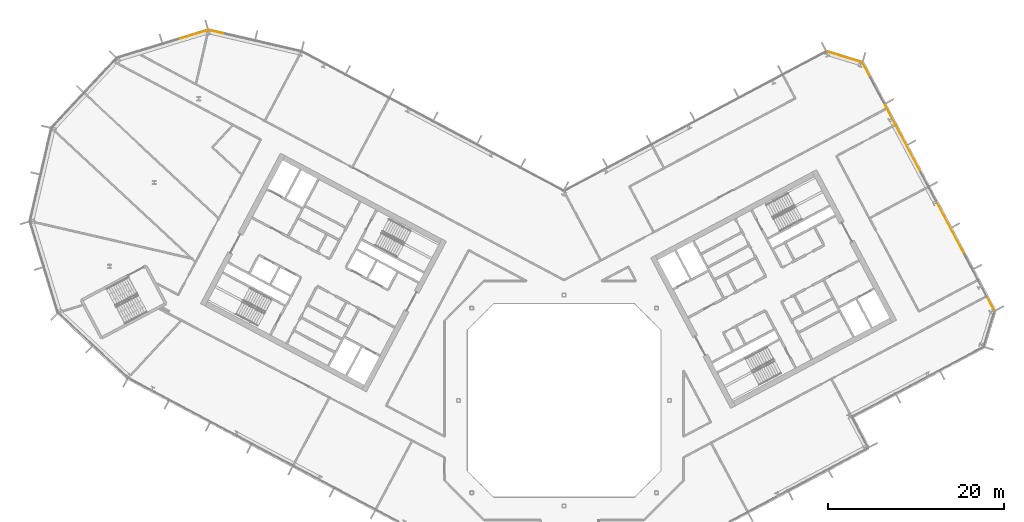
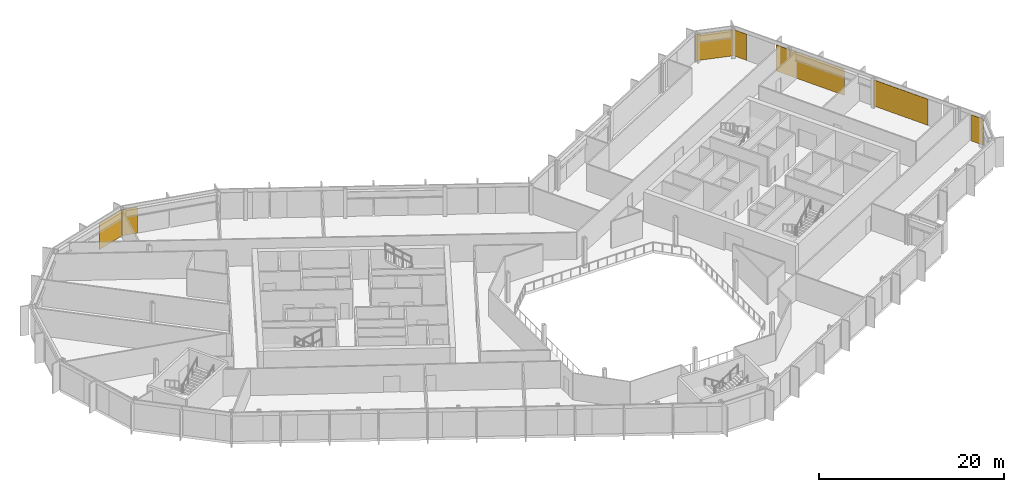
# One storey, part 27 of 27: 7 coverings, 4 elements without a shape of their own.
"""IFC4 building model written with IfcOpenShell, lengths in metres."""

from ifc_helpers import new_model, si_unit, direction, frame, origin, origin_2d, place, context, subcontext, project, spatial, rectangle, extrude, material, layer, layer_set, type_object, element, aggregate, save


model = new_model("IFC4")

# Units and contexts
model_context = context("Model", 3, precision=1e-05, world=origin(), true_north=direction((0.0, 1.0)))
body_context = subcontext(model_context, "Body", "Model", "MODEL_VIEW")
ifc_project = project(units=[si_unit("LENGTHUNIT", "METRE"), si_unit("AREAUNIT", "SQUARE_METRE"), si_unit("VOLUMEUNIT", "CUBIC_METRE"), si_unit("PLANEANGLEUNIT", "RADIAN"), si_unit("MASSUNIT", "GRAM", prefix="KILO")], contexts=[model_context])

# Site, building, storey
site_placement = place(None, origin())
site = spatial("IfcSite", under=ifc_project, at=site_placement, CompositionType="ELEMENT")
building_placement = place(site_placement, origin())
building = spatial("IfcBuilding", under=site, at=building_placement, Name="Cormorant Relay Tower", CompositionType="ELEMENT")
storey_placement = place(building_placement, frame((0.0, 0.0, 216.89990234375)))
storey = spatial("IfcBuildingStorey", under=building, at=storey_placement, Name="L47", CompositionType="ELEMENT", Elevation=216.89990234375)

# Curtain wall, coverings
ifc_material_1 = material(Name="Aluminium 6063-T6 anodised bronze", Category="aluminium")
ifc_layer_1 = layer(ifc_material_1, 0.199951171875)
ifc_layer_set_1 = layer_set([ifc_layer_1], Name="CW1 unitised bronze curtain wall with vertical fins")
curtain_wall_type = type_object("IfcCurtainWallType", Name="CW1 unitised bronze curtain wall with vertical fins", PredefinedType="NOTDEFINED", material=ifc_layer_set_1)
curtain_wall_1_placement = place(storey_placement, origin())
curtain_wall_1 = element("IfcCurtainWall", 1, at=curtain_wall_1_placement, inside=storey, type_object=curtain_wall_type, Name="CW1 curtain wall 6", PredefinedType="NOTDEFINED")
ifc_material_2 = material(Name="Pale bronze anodised aluminium insulated panel", Category="aluminium")
ifc_layer_2 = layer(ifc_material_2, 0.0400390625)
ifc_layer_set_2 = layer_set([ifc_layer_2], Name="CW1 pale bronze insulated panel 40")
covering_type = type_object("IfcCoveringType", Name="CW1 pale bronze insulated panel 40", PredefinedType="CLADDING", material=ifc_layer_set_2)
covering_1_placement = place(storey_placement, frame((48.56494140625, 10.947998046875, 0.0), z_axis=(0.0, 0.0, 1.0), x_axis=(-0.469471562786, 0.882947592859, 0.0)))
covering_1 = element("IfcCovering", 2, at=covering_1_placement, type_object=covering_type, Name="CW1 panel S00", PredefinedType="CLADDING", context=body_context, shape_type="SweptSolid", body=[
    extrude(rectangle(XDim=1.583251953125, YDim=0.0400390625, at=origin_2d()), origin(), (0.0, 0.0, 1.0), 3.449951171875),
])
covering_2_placement = place(storey_placement, frame((43.964111328125, 19.600830078125, 0.0), z_axis=(0.0, 0.0, 1.0), x_axis=(-0.469471562786, 0.882947592859, 0.0)))
covering_2 = element("IfcCovering", 3, at=covering_2_placement, type_object=covering_type, Name="CW1 panel S03", PredefinedType="CLADDING", context=body_context, shape_type="SweptSolid", body=[
    extrude(rectangle(XDim=6.916748046875, YDim=0.0400390625, at=origin_2d()), origin(), (0.0, 0.0, 1.0), 3.449951171875),
])
covering_3_placement = place(storey_placement, frame((38.53369140625, 29.813720703125, 0.0), z_axis=(0.0, 0.0, 1.0), x_axis=(-0.469471562786, 0.882947592859, 0.0)))
covering_3 = element("IfcCovering", 4, at=covering_3_placement, type_object=covering_type, Name="CW1 panel S06", PredefinedType="CLADDING", context=body_context, shape_type="SweptSolid", body=[
    extrude(rectangle(XDim=8.716796875, YDim=0.0400390625, at=origin_2d()), origin(), (0.0, 0.0, 1.0), 3.449951171875),
])
covering_4_placement = place(storey_placement, frame((34.337890625, 37.705078125, 0.0), z_axis=(0.0, 0.0, 1.0), x_axis=(-0.469471562786, 0.882947592859, 0.0)))
covering_4 = element("IfcCovering", 5, at=covering_4_placement, type_object=covering_type, Name="CW1 panel S08", PredefinedType="CLADDING", context=body_context, shape_type="SweptSolid", body=[
    extrude(rectangle(XDim=1.658203125, YDim=0.0400390625, at=origin_2d()), origin(), (0.0, 0.0, 1.0), 3.449951171875),
])
aggregate(curtain_wall_1, [covering_1, covering_2, covering_3, covering_4])

# Curtain wall, covering
curtain_wall_2_placement = place(storey_placement, origin())
curtain_wall_2 = element("IfcCurtainWall", 6, at=curtain_wall_2_placement, inside=storey, type_object=curtain_wall_type, Name="CW1 curtain wall 7", PredefinedType="NOTDEFINED")
covering_5_placement = place(storey_placement, frame((31.872314453125, 39.077880859375, 0.0), z_axis=(0.0, 0.0, 1.0), x_axis=(-0.956304755963, 0.292371704723, 0.0)))
covering_5 = element("IfcCovering", 7, at=covering_5_placement, type_object=covering_type, Name="CW1 panel S00", PredefinedType="CLADDING", context=body_context, shape_type="SweptSolid", body=[
    extrude(rectangle(XDim=4.16748046875, YDim=0.0400390625, at=origin_2d()), origin(), (0.0, 0.0, 1.0), 3.449951171875),
])
aggregate(curtain_wall_2, [covering_5])

curtain_wall_3_placement = place(storey_placement, origin())
curtain_wall_3 = element("IfcCurtainWall", 8, at=curtain_wall_3_placement, inside=storey, type_object=curtain_wall_type, Name="CW1 curtain wall 10", PredefinedType="NOTDEFINED")
covering_6_placement = place(storey_placement, frame((-39.603515625, 41.934814453125, 0.0), z_axis=(0.0, 0.0, 1.0), x_axis=(-0.974370064785, 0.224951054344, 0.0)))
covering_6 = element("IfcCovering", 9, at=covering_6_placement, type_object=covering_type, Name="CW1 panel S02", PredefinedType="CLADDING", context=body_context, shape_type="SweptSolid", body=[
    extrude(rectangle(XDim=1.76025390625, YDim=0.0400390625, at=origin_2d()), origin(), (0.0, 0.0, 1.0), 3.449951171875),
])
aggregate(curtain_wall_3, [covering_6])

curtain_wall_4_placement = place(storey_placement, origin())
curtain_wall_4 = element("IfcCurtainWall", 10, at=curtain_wall_4_placement, inside=storey, type_object=curtain_wall_type, Name="CW1 curtain wall 11", PredefinedType="NOTDEFINED")
covering_7_placement = place(storey_placement, frame((-42.209716796875, 41.60107421875, 0.0), z_axis=(0.0, 0.0, 1.0), x_axis=(-0.956304755963, -0.292371704723, 0.0)))
covering_7 = element("IfcCovering", 11, at=covering_7_placement, type_object=covering_type, Name="CW1 panel S00", PredefinedType="CLADDING", context=body_context, shape_type="SweptSolid", body=[
    extrude(rectangle(XDim=3.485107421875, YDim=0.0400390625, at=origin_2d()), origin(), (0.0, 0.0, 1.0), 3.449951171875),
])
aggregate(curtain_wall_4, [covering_7])

save(model, "model.ifc")
